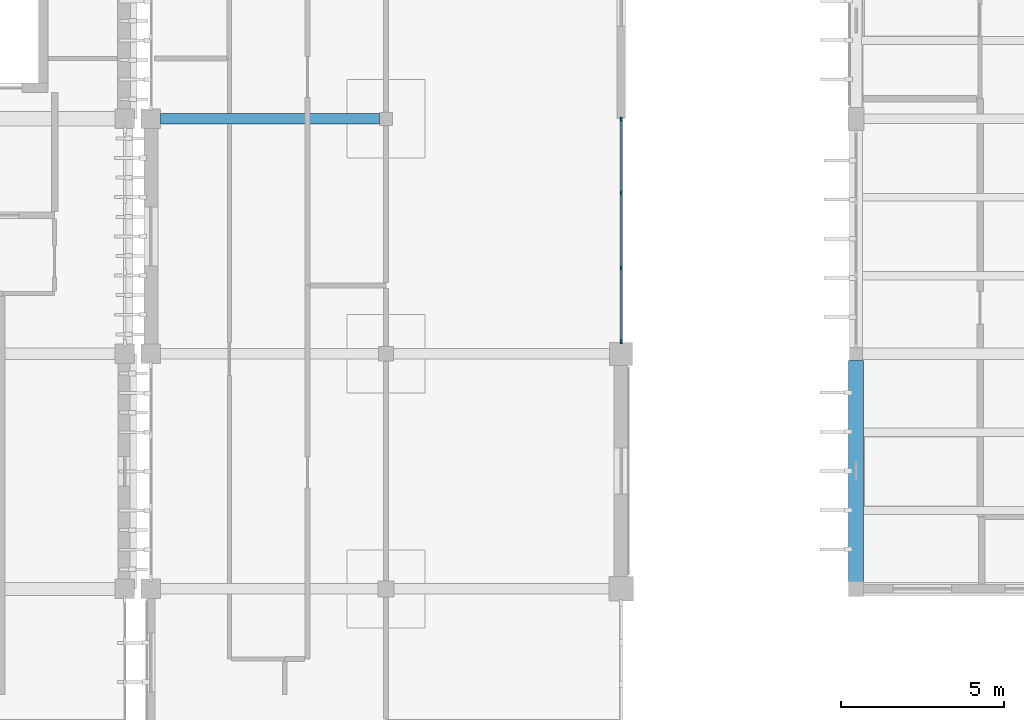
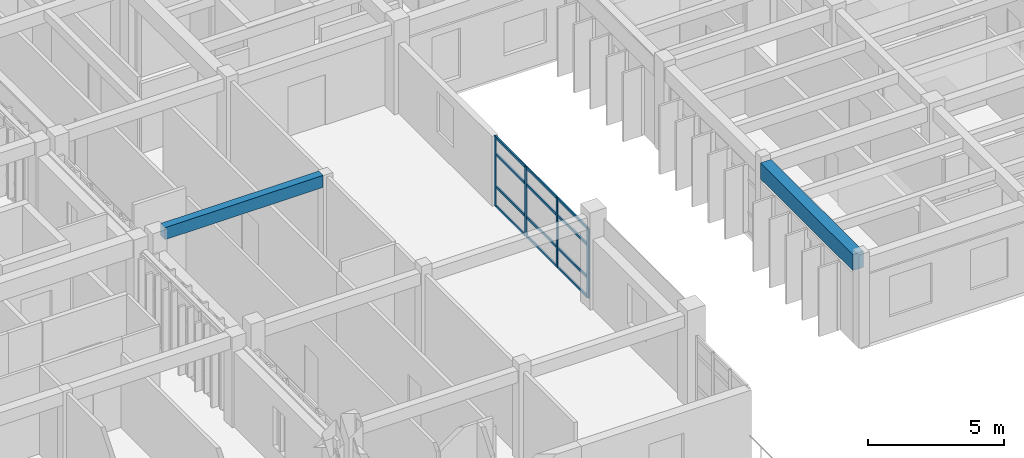
# One storey, part 6 of 55: 16 members, 2 beams, 1 element without a shape of its own.
"""IFC4 building model written with IfcOpenShell, lengths in metres."""

from ifc_helpers import new_model, si_unit, direction, frame, origin, origin_2d, place, context, subcontext, project, spatial, rectangle, extrude, material, material_profile, profile_set, type_object, element, aggregate, save


model = new_model("IFC4")

# Units and contexts
model_context = context("Model", 3, precision=1e-05, world=origin(), true_north=direction((0.0, 1.0)))
body_context = subcontext(model_context, "Body", "Model", "MODEL_VIEW")
ifc_project = project(units=[si_unit("LENGTHUNIT", "METRE"), si_unit("AREAUNIT", "SQUARE_METRE"), si_unit("VOLUMEUNIT", "CUBIC_METRE"), si_unit("PLANEANGLEUNIT", "RADIAN"), si_unit("MASSUNIT", "GRAM", prefix="KILO")], contexts=[model_context])

# Site, building, storey
site_placement = place(None, origin())
site = spatial("IfcSite", under=ifc_project, at=site_placement, CompositionType="ELEMENT")
building_placement = place(site_placement, origin())
building = spatial("IfcBuilding", under=site, at=building_placement, Name="Steenspoor Specialist Clinic", CompositionType="ELEMENT")
storey_placement = place(building_placement, frame((0.0, 0.0, 13.199951171875)))
storey = spatial("IfcBuildingStorey", under=building, at=storey_placement, Name="L03", CompositionType="ELEMENT", Elevation=13.199951171875)

# Beam
ifc_material_1 = material(Name="Concrete C35/45", Category="concrete")
ifc_material_profile_1 = material_profile(ifc_material_1, rectangle(XDim=0.449951171875, YDim=0.719970703125, at=origin_2d()), Name="RC-BM-450X720")
ifc_profile_set_1 = profile_set([ifc_material_profile_1], Name="Concrete C35/45")
beam_type_1 = type_object("IfcBeamType", Name="BM-RC-450X720", PredefinedType="BEAM", material=ifc_profile_set_1)
beam_1_placement = place(storey_placement, frame((74.0, 72.570068359375, 3.590087890625), z_axis=(0.0, 1.0, 0.0), x_axis=(-1.0, 0.0, 0.0)))
element("IfcBeam", 1, at=beam_1_placement, inside=storey, type_object=beam_type_1, Name="BM-V4-L03-Y0840", PredefinedType="BEAM", context=body_context, shape_type="SweptSolid", body=[
    extrude(rectangle(XDim=0.449951171875, YDim=0.719970703125, at=origin_2d()), origin(), (0.0, 0.0, 1.0), 6.784912109375),
])

# Curtain wall, members
ifc_material_2 = material(Name="Thermally broken aluminium and low-emissivity glass", Category="aluminium")
curtain_wall_type = type_object("IfcCurtainWallType", Name="CW-WLK-360X340", PredefinedType="USERDEFINED", material=ifc_material_2)
curtain_wall_placement = place(storey_placement, origin())
curtain_wall = element("IfcCurtainWall", 2, at=curtain_wall_placement, inside=storey, type_object=curtain_wall_type, Name="Unitised Curtain Wall CW-V4-L03-118", ObjectType="UNITISED GLAZING", PredefinedType="USERDEFINED")
ifc_material_3 = material(Name="Thermally broken aluminium 6063-T6", Category="aluminium")
ifc_material_profile_2 = material_profile(ifc_material_3, rectangle(XDim=0.06005859375, YDim=0.135009765625, at=origin_2d()), Name="CWM-60X135")
ifc_profile_set_2 = profile_set([ifc_material_profile_2], Name="Thermally broken aluminium 6063-T6")
member_type_1 = type_object("IfcMemberType", Name="CW-MULL-60X135", PredefinedType="MULLION", material=ifc_profile_set_2)
member_1_placement = place(storey_placement, frame((66.800048828125, 86.732421875, 0.0), z_axis=(0.0, 0.0, 1.0), x_axis=(1.0, 0.0, 0.0)))
member_1 = element("IfcMember", 3, at=member_1_placement, type_object=member_type_1, Name="CW-22 mullion 1", PredefinedType="MULLION", context=body_context, shape_type="SweptSolid", body=[
    extrude(rectangle(XDim=0.06005859375, YDim=0.135009765625, at=origin_2d()), origin(), (0.0, 0.0, 1.0), 3.130126953125),
])
member_2_placement = place(storey_placement, frame((66.800048828125, 84.47509765625, 0.0), z_axis=(0.0, 0.0, 1.0), x_axis=(1.0, 0.0, 0.0)))
member_2 = element("IfcMember", 4, at=member_2_placement, type_object=member_type_1, Name="CW-22 mullion 2", PredefinedType="MULLION", context=body_context, shape_type="SweptSolid", body=[
    extrude(rectangle(XDim=0.06005859375, YDim=0.135009765625, at=origin_2d()), origin(), (0.0, 0.0, 1.0), 3.130126953125),
])
member_3_placement = place(storey_placement, frame((66.800048828125, 82.1875, 0.0), z_axis=(0.0, 0.0, 1.0), x_axis=(1.0, 0.0, 0.0)))
member_3 = element("IfcMember", 5, at=member_3_placement, type_object=member_type_1, Name="CW-22 mullion 3", PredefinedType="MULLION", context=body_context, shape_type="SweptSolid", body=[
    extrude(rectangle(XDim=0.06005859375, YDim=0.135009765625, at=origin_2d()), origin(), (0.0, 0.0, 1.0), 3.130126953125),
])
member_4_placement = place(storey_placement, frame((66.800048828125, 79.929931640625, 0.0), z_axis=(0.0, 0.0, 1.0), x_axis=(1.0, 0.0, 0.0)))
member_4 = element("IfcMember", 6, at=member_4_placement, type_object=member_type_1, Name="CW-22 mullion 4", PredefinedType="MULLION", context=body_context, shape_type="SweptSolid", body=[
    extrude(rectangle(XDim=0.06005859375, YDim=0.135009765625, at=origin_2d()), origin(), (0.0, 0.0, 1.0), 3.130126953125),
])
ifc_material_profile_3 = material_profile(ifc_material_3, rectangle(XDim=0.06005859375, YDim=0.114990234375, at=origin_2d()), Name="CWT-60X115")
ifc_profile_set_3 = profile_set([ifc_material_profile_3], Name="Thermally broken aluminium 6063-T6")
member_type_2 = type_object("IfcMemberType", Name="CW-TRAN-60X115", PredefinedType="USERDEFINED", material=ifc_profile_set_3)
member_5_placement = place(storey_placement, frame((66.800048828125, 86.702392578125, 0.030029296875), z_axis=(0.0, -1.0, 0.0), x_axis=(1.0, 0.0, 0.0)))
member_5 = element("IfcMember", 7, at=member_5_placement, type_object=member_type_2, Name="CW-22 transom 1.1", ObjectType="TRANSOM", PredefinedType="USERDEFINED", context=body_context, shape_type="SweptSolid", body=[
    extrude(rectangle(XDim=0.06005859375, YDim=0.114990234375, at=origin_2d()), origin(), (0.0, 0.0, 1.0), 2.197509765625),
])
member_6_placement = place(storey_placement, frame((66.800048828125, 86.702392578125, 0.900146484375), z_axis=(0.0, -1.0, 0.0), x_axis=(1.0, 0.0, 0.0)))
member_6 = element("IfcMember", 8, at=member_6_placement, type_object=member_type_2, Name="CW-22 transom 1.2", ObjectType="TRANSOM", PredefinedType="USERDEFINED", context=body_context, shape_type="SweptSolid", body=[
    extrude(rectangle(XDim=0.06005859375, YDim=0.114990234375, at=origin_2d()), origin(), (0.0, 0.0, 1.0), 2.197509765625),
])
member_7_placement = place(storey_placement, frame((66.800048828125, 86.702392578125, 2.35009765625), z_axis=(0.0, -1.0, 0.0), x_axis=(1.0, 0.0, 0.0)))
member_7 = element("IfcMember", 9, at=member_7_placement, type_object=member_type_2, Name="CW-22 transom 1.3", ObjectType="TRANSOM", PredefinedType="USERDEFINED", context=body_context, shape_type="SweptSolid", body=[
    extrude(rectangle(XDim=0.06005859375, YDim=0.114990234375, at=origin_2d()), origin(), (0.0, 0.0, 1.0), 2.197509765625),
])
member_8_placement = place(storey_placement, frame((66.800048828125, 86.702392578125, 3.10009765625), z_axis=(0.0, -1.0, 0.0), x_axis=(1.0, 0.0, 0.0)))
member_8 = element("IfcMember", 10, at=member_8_placement, type_object=member_type_2, Name="CW-22 transom 1.4", ObjectType="TRANSOM", PredefinedType="USERDEFINED", context=body_context, shape_type="SweptSolid", body=[
    extrude(rectangle(XDim=0.06005859375, YDim=0.114990234375, at=origin_2d()), origin(), (0.0, 0.0, 1.0), 2.197509765625),
])
member_9_placement = place(storey_placement, frame((66.800048828125, 84.445068359375, 0.030029296875), z_axis=(0.0, -1.0, 0.0), x_axis=(1.0, 0.0, 0.0)))
member_9 = element("IfcMember", 11, at=member_9_placement, type_object=member_type_2, Name="CW-22 transom 2.1", ObjectType="TRANSOM", PredefinedType="USERDEFINED", context=body_context, shape_type="SweptSolid", body=[
    extrude(rectangle(XDim=0.06005859375, YDim=0.114990234375, at=origin_2d()), origin(), (0.0, 0.0, 1.0), 2.2275390625),
])
member_10_placement = place(storey_placement, frame((66.800048828125, 84.445068359375, 0.900146484375), z_axis=(0.0, -1.0, 0.0), x_axis=(1.0, 0.0, 0.0)))
member_10 = element("IfcMember", 12, at=member_10_placement, type_object=member_type_2, Name="CW-22 transom 2.2", ObjectType="TRANSOM", PredefinedType="USERDEFINED", context=body_context, shape_type="SweptSolid", body=[
    extrude(rectangle(XDim=0.06005859375, YDim=0.114990234375, at=origin_2d()), origin(), (0.0, 0.0, 1.0), 2.2275390625),
])
member_11_placement = place(storey_placement, frame((66.800048828125, 84.445068359375, 2.35009765625), z_axis=(0.0, -1.0, 0.0), x_axis=(1.0, 0.0, 0.0)))
member_11 = element("IfcMember", 13, at=member_11_placement, type_object=member_type_2, Name="CW-22 transom 2.3", ObjectType="TRANSOM", PredefinedType="USERDEFINED", context=body_context, shape_type="SweptSolid", body=[
    extrude(rectangle(XDim=0.06005859375, YDim=0.114990234375, at=origin_2d()), origin(), (0.0, 0.0, 1.0), 2.2275390625),
])
member_12_placement = place(storey_placement, frame((66.800048828125, 84.445068359375, 3.10009765625), z_axis=(0.0, -1.0, 0.0), x_axis=(1.0, 0.0, 0.0)))
member_12 = element("IfcMember", 14, at=member_12_placement, type_object=member_type_2, Name="CW-22 transom 2.4", ObjectType="TRANSOM", PredefinedType="USERDEFINED", context=body_context, shape_type="SweptSolid", body=[
    extrude(rectangle(XDim=0.06005859375, YDim=0.114990234375, at=origin_2d()), origin(), (0.0, 0.0, 1.0), 2.2275390625),
])
member_13_placement = place(storey_placement, frame((66.800048828125, 82.157470703125, 0.030029296875), z_axis=(0.0, -1.0, 0.0), x_axis=(1.0, 0.0, 0.0)))
member_13 = element("IfcMember", 15, at=member_13_placement, type_object=member_type_2, Name="CW-22 transom 3.1", ObjectType="TRANSOM", PredefinedType="USERDEFINED", context=body_context, shape_type="SweptSolid", body=[
    extrude(rectangle(XDim=0.06005859375, YDim=0.114990234375, at=origin_2d()), origin(), (0.0, 0.0, 1.0), 2.197509765625),
])
member_14_placement = place(storey_placement, frame((66.800048828125, 82.157470703125, 0.900146484375), z_axis=(0.0, -1.0, 0.0), x_axis=(1.0, 0.0, 0.0)))
member_14 = element("IfcMember", 16, at=member_14_placement, type_object=member_type_2, Name="CW-22 transom 3.2", ObjectType="TRANSOM", PredefinedType="USERDEFINED", context=body_context, shape_type="SweptSolid", body=[
    extrude(rectangle(XDim=0.06005859375, YDim=0.114990234375, at=origin_2d()), origin(), (0.0, 0.0, 1.0), 2.197509765625),
])
member_15_placement = place(storey_placement, frame((66.800048828125, 82.157470703125, 2.35009765625), z_axis=(0.0, -1.0, 0.0), x_axis=(1.0, 0.0, 0.0)))
member_15 = element("IfcMember", 17, at=member_15_placement, type_object=member_type_2, Name="CW-22 transom 3.3", ObjectType="TRANSOM", PredefinedType="USERDEFINED", context=body_context, shape_type="SweptSolid", body=[
    extrude(rectangle(XDim=0.06005859375, YDim=0.114990234375, at=origin_2d()), origin(), (0.0, 0.0, 1.0), 2.197509765625),
])
member_16_placement = place(storey_placement, frame((66.800048828125, 82.157470703125, 3.10009765625), z_axis=(0.0, -1.0, 0.0), x_axis=(1.0, 0.0, 0.0)))
member_16 = element("IfcMember", 18, at=member_16_placement, type_object=member_type_2, Name="CW-22 transom 3.4", ObjectType="TRANSOM", PredefinedType="USERDEFINED", context=body_context, shape_type="SweptSolid", body=[
    extrude(rectangle(XDim=0.06005859375, YDim=0.114990234375, at=origin_2d()), origin(), (0.0, 0.0, 1.0), 2.197509765625),
])
aggregate(curtain_wall, [member_1, member_2, member_3, member_4, member_5, member_6, member_7, member_8, member_9, member_10, member_11, member_12, member_13, member_14, member_15, member_16])

# Beam
ifc_material_profile_4 = material_profile(ifc_material_1, rectangle(XDim=0.320068359375, YDim=0.5400390625, at=origin_2d()), Name="RC-SP-320X540")
ifc_profile_set_4 = profile_set([ifc_material_profile_4], Name="Concrete C35/45")
beam_type_2 = type_object("IfcBeamType", Name="SP-RC-320X540", PredefinedType="SPANDREL", material=ifc_profile_set_4)
beam_2_placement = place(storey_placement, frame((52.695068359375, 86.75, 3.76513671875), z_axis=(1.0, 0.0, 0.0), x_axis=(0.0, 1.0, 0.0)))
element("IfcBeam", 19, at=beam_2_placement, inside=storey, type_object=beam_type_2, Name="BMTIER-V4-L03-X00-03", PredefinedType="SPANDREL", context=body_context, shape_type="SweptSolid", body=[
    extrude(rectangle(XDim=0.320068359375, YDim=0.5400390625, at=origin_2d()), origin(), (0.0, 0.0, 1.0), 6.7099609375),
])

save(model, "model.ifc")
